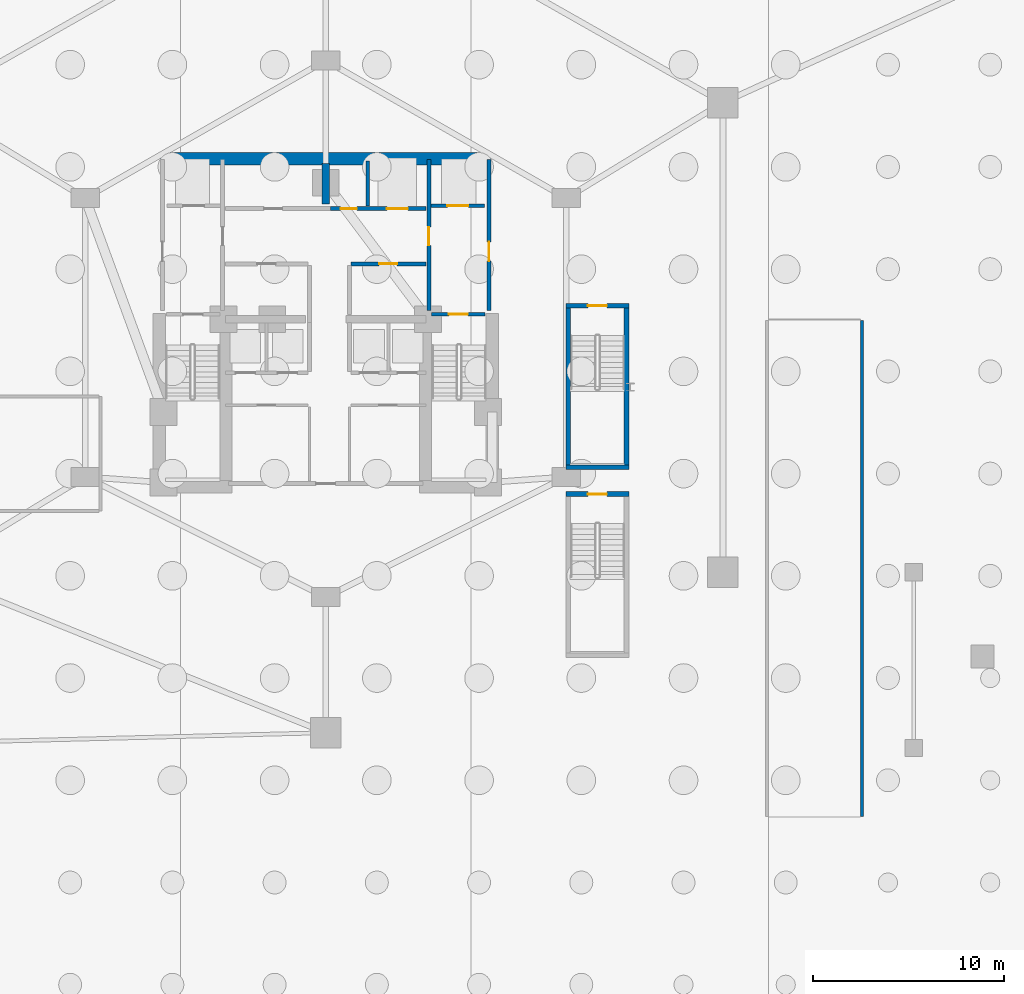
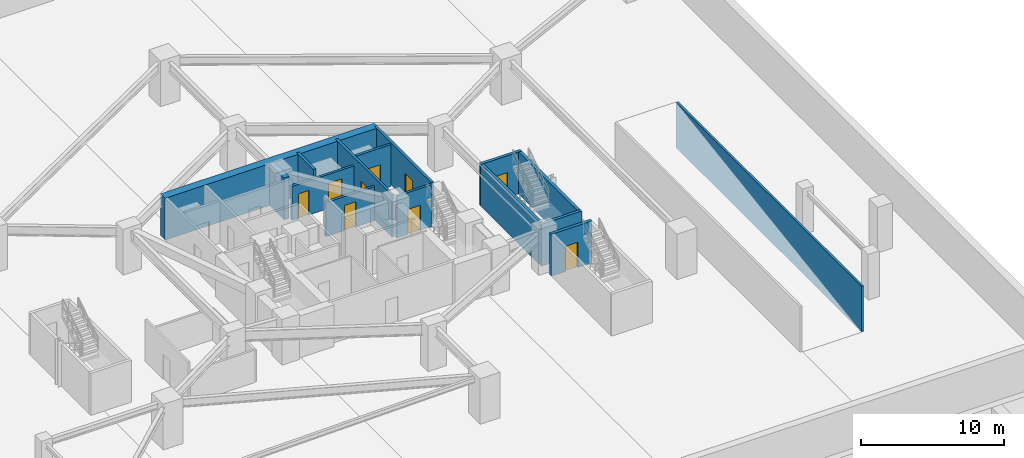
# One storey, part 8 of 14: 15 walls, 9 doors, 9 openings.
"""IFC4 building model written with IfcOpenShell, lengths in metres."""

from ifc_helpers import new_model, si_unit, direction, frame, frame_2d, origin, place, context, subcontext, project, spatial, rectangle, extrude, material, layer, layer_set, type_object, element, fill, save


model = new_model("IFC4")

# Units and contexts
model_context = context("Model", 3, precision=1e-05, world=origin(), true_north=direction((0.0, 1.0)))
body_context = subcontext(model_context, "Body", "Model", "MODEL_VIEW")
ifc_project = project(units=[si_unit("LENGTHUNIT", "METRE"), si_unit("AREAUNIT", "SQUARE_METRE"), si_unit("VOLUMEUNIT", "CUBIC_METRE"), si_unit("PLANEANGLEUNIT", "RADIAN"), si_unit("MASSUNIT", "GRAM", prefix="KILO")], contexts=[model_context])

# Site, building, storey
site_placement = place(None, origin())
site = spatial("IfcSite", under=ifc_project, at=site_placement, CompositionType="ELEMENT")
building_placement = place(site_placement, origin())
building = spatial("IfcBuilding", under=site, at=building_placement, Name="Miruveldt Soraemaru", CompositionType="ELEMENT")
storey_placement = place(building_placement, frame((0.0, 0.0, -15.60009765625)))
storey = spatial("IfcBuildingStorey", under=building, at=storey_placement, Name="B4", CompositionType="ELEMENT", Elevation=-15.60009765625)

# Walls
ifc_material_1 = material(Name="Concrete C70/85 (70 MPa)", Category="concrete")
ifc_layer_1 = layer(ifc_material_1, 0.5, Name="Concrete C70/85 (70 MPa)", Category="concrete")
ifc_layer_set_1 = layer_set([ifc_layer_1], Name="Concrete C70/85 (70 MPa)")
wall_type_1 = type_object("IfcWallType", Name="WALL-BW-500", PredefinedType="SHEAR", material=ifc_layer_set_1)
wall_1_placement = place(storey_placement, frame((44.0, 50.10009765625, 0.0), z_axis=(0.0, 0.0, 1.0), x_axis=(0.0, 1.0, 0.0)))
element("IfcWall", 1, at=wall_1_placement, inside=storey, type_object=wall_type_1, Name="B4 Core Buttress Shear Wall BN", PredefinedType="SHEAR", context=body_context, shape_type="SweptSolid", body=[
    extrude(rectangle(XDim=2.099853515625, YDim=0.39990234375, at=frame_2d((1.0498046875, 0.0))), origin(), (0.0, 0.0, 1.0), 3.580078125),
])
ifc_material_2 = material(Name="Concrete C50/60 (50 MPa)", Category="concrete")
ifc_layer_2 = layer(ifc_material_2, 0.419921875, Name="Concrete C50/60 (50 MPa)", Category="concrete")
ifc_layer_set_2 = layer_set([ifc_layer_2], Name="Concrete C50/60 (50 MPa)")
wall_type_2 = type_object("IfcWallType", Name="WALL-CW-420", PredefinedType="SHEAR", material=ifc_layer_set_2)
wall_2_placement = place(storey_placement, frame((72.080078125, 18.02001953125, 0.0), z_axis=(0.0, 0.0, 1.0), x_axis=(0.0, 1.0, 0.0)))
element("IfcWall", 2, at=wall_2_placement, inside=storey, type_object=wall_type_2, Name="B4 Car Park Ramp Shaft Structural Side Wall E", PredefinedType="SHEAR", context=body_context, shape_type="SweptSolid", body=[
    extrude(rectangle(XDim=25.9599609375, YDim=0.159912109375, at=frame_2d((12.97998046875, 0.0))), origin(), (0.0, 0.0, 1.0), 3.900146484375),
])

# Wall, opening, door
wall_3_placement = place(storey_placement, frame((56.580078125, 44.75, 0.0), z_axis=(0.0, 0.0, 1.0), x_axis=(1.0, 0.0, 0.0)))
wall_3 = element("IfcWall", 3, at=wall_3_placement, inside=storey, type_object=wall_type_2, Name="B4 Podium Garden Feature Stair ST-4 Structural Shaft Wall N", PredefinedType="SHEAR", context=body_context, shape_type="SweptSolid", body=[
    extrude(rectangle(XDim=3.2900390625, YDim=0.239990234375, at=frame_2d((1.64501953125, 0.0))), origin(), (0.0, 0.0, 1.0), 3.580078125),
])
opening_1_placement = place(wall_3_placement, frame((1.14501953125, 0.0, 0.0)))
opening_1 = element("IfcOpeningElement", 4, at=opening_1_placement, cuts=wall_3, Name="Opening FD1", PredefinedType="OPENING", context=body_context, shape_type="SweptSolid", body=[
    extrude(rectangle(XDim=1.0, YDim=2.14990234375, at=frame_2d((0.5, 1.074951171875))), frame((0.0, 0.1298828125, 0.0), z_axis=(0.0, -1.0, 0.0), x_axis=(1.0, 0.0, 0.0)), (0.0, 0.0, 1.0), 0.260009765625),
])
ifc_material_3 = material(Name="Anodised aluminium EN AW-6063 T6", Category="aluminium")
door_type_1 = type_object("IfcDoorType", Name="DOOR-FD1-1000", OperationType="NOTDEFINED", PredefinedType="DOOR", material=ifc_material_3)
door_1_placement = place(opening_1_placement, frame((1.0, 0.0, 0.0), z_axis=(0.0, 0.0, 1.0), x_axis=(-1.0, 0.0, 0.0)))
door_1 = element("IfcDoor", 5, at=door_1_placement, inside=storey, type_object=door_type_1, Name="B4 Podium Garden Feature Stair ST-4 Fire Door", OperationType="SINGLE_SWING_LEFT", OverallHeight=2.14990234375, OverallWidth=1.0, PredefinedType="DOOR", context=body_context, shape_type="SweptSolid", body=[
    extrude(rectangle(XDim=1.0, YDim=2.14990234375, at=frame_2d((0.5, 1.074951171875))), frame((0.0, 0.02490234375, 0.0), z_axis=(0.0, -1.0, 0.0), x_axis=(1.0, 0.0, 0.0)), (0.0, 0.0, 1.0), 0.050048828125),
])
fill(opening_1, door_1)

wall_4_placement = place(storey_placement, frame((56.580078125, 34.89990234375, 0.0), z_axis=(0.0, 0.0, 1.0), x_axis=(1.0, 0.0, 0.0)))
wall_4 = element("IfcWall", 6, at=wall_4_placement, inside=storey, type_object=wall_type_2, Name="B4 Basement Service Stair ST-5 Structural Shaft Wall N", PredefinedType="SHEAR", context=body_context, shape_type="SweptSolid", body=[
    extrude(rectangle(XDim=3.2900390625, YDim=0.239990234375, at=frame_2d((1.64501953125, 0.0))), origin(), (0.0, 0.0, 1.0), 3.580078125),
])
opening_2_placement = place(wall_4_placement, frame((1.14501953125, 0.0, 0.0)))
opening_2 = element("IfcOpeningElement", 7, at=opening_2_placement, cuts=wall_4, Name="Opening FD1", PredefinedType="OPENING", context=body_context, shape_type="SweptSolid", body=[
    extrude(rectangle(XDim=1.0, YDim=2.14990234375, at=frame_2d((0.5, 1.074951171875))), frame((0.0, 0.1298828125, 0.0), z_axis=(0.0, -1.0, 0.0), x_axis=(1.0, 0.0, 0.0)), (0.0, 0.0, 1.0), 0.260009765625),
])
door_2_placement = place(opening_2_placement, frame((1.0, 0.0, 0.0), z_axis=(0.0, 0.0, 1.0), x_axis=(-1.0, 0.0, 0.0)))
door_2 = element("IfcDoor", 8, at=door_2_placement, inside=storey, type_object=door_type_1, Name="B4 Basement Service Stair ST-5 Fire Door", OperationType="SINGLE_SWING_LEFT", OverallHeight=2.14990234375, OverallWidth=1.0, PredefinedType="DOOR", context=body_context, shape_type="SweptSolid", body=[
    extrude(rectangle(XDim=1.0, YDim=2.14990234375, at=frame_2d((0.5, 1.074951171875))), frame((0.0, 0.02490234375, 0.0), z_axis=(0.0, -1.0, 0.0), x_axis=(1.0, 0.0, 0.0)), (0.0, 0.0, 1.0), 0.050048828125),
])
fill(opening_2, door_2)

# Walls
for number, where, z_axis, x_axis, name in (
    (9, (56.699951171875, 36.35009765625, 0.0), (0.0, 0.0, 1.0), (0.0, 1.0, 0.0), "B4 Podium Garden Feature Stair ST-4 Structural Shaft Wall W"),
    (10, (59.75, 36.35009765625, 0.0), (0.0, 0.0, 1.0), (0.0, 1.0, 0.0), "B4 Podium Garden Feature Stair ST-4 Structural Shaft Wall E"),
):
    element("IfcWall", number, at=place(storey_placement, frame(where, z_axis=z_axis, x_axis=x_axis)), inside=storey, type_object=wall_type_2, Name=name, PredefinedType="SHEAR", context=body_context, shape_type="SweptSolid", body=[
        extrude(rectangle(XDim=8.349853515625, YDim=0.239990234375, at=frame_2d((4.1748046875, 0.0))), origin(), (0.0, 0.0, 1.0), 3.580078125),
    ])
wall_5_placement = place(storey_placement, frame((56.580078125, 36.300048828125, 0.0), z_axis=(0.0, 0.0, 1.0), x_axis=(1.0, 0.0, 0.0)))
element("IfcWall", 11, at=wall_5_placement, inside=storey, type_object=wall_type_2, Name="B4 Podium Garden Feature Stair ST-4 Structural Shaft Wall S", PredefinedType="SHEAR", context=body_context, shape_type="SweptSolid", body=[
    extrude(rectangle(XDim=3.2900390625, YDim=0.239990234375, at=frame_2d((1.64501953125, 0.0))), origin(), (0.0, 0.0, 1.0), 3.580078125),
])
ifc_material_4 = material(Name="Concrete C80/95 (80 MPa)", Category="concrete")
ifc_layer_3 = layer(ifc_material_4, 0.64990234375, Name="Concrete C80/95 (80 MPa)", Category="concrete")
ifc_layer_set_3 = layer_set([ifc_layer_3], Name="Concrete C80/95 (80 MPa)")
wall_type_3 = type_object("IfcWallType", Name="WALL-CW-650", PredefinedType="SHEAR", material=ifc_layer_set_3)
wall_6_placement = place(storey_placement, frame((35.35009765625, 52.449951171875, 0.0), z_axis=(0.0, 0.0, 1.0), x_axis=(1.0, 0.0, 0.0)))
element("IfcWall", 12, at=wall_6_placement, inside=storey, type_object=wall_type_3, Name="B4 Central Core Shear Wall N", PredefinedType="SHEAR", context=body_context, shape_type="SweptSolid", body=[
    extrude(rectangle(XDim=17.2998046875, YDim=0.64990234375, at=frame_2d((8.64990234375, 0.0))), origin(), (0.0, 0.0, 1.0), 3.580078125),
])

# Wall, opening, door
ifc_material_5 = material(Name="Concrete C40/50 (40 MPa)", Category="concrete")
ifc_layer_4 = layer(ifc_material_5, 0.199951171875, Name="Concrete C40/50 (40 MPa)", Category="concrete")
ifc_layer_set_4 = layer_set([ifc_layer_4], Name="Concrete C40/50 (40 MPa)")
wall_type_4 = type_object("IfcWallType", Name="WALL-INT-RC200", PredefinedType="SOLIDWALL", material=ifc_layer_set_4)
wall_7_placement = place(storey_placement, frame((52.550048828125, 44.5, 0.0), z_axis=(0.0, 0.0, 1.0), x_axis=(0.0, 1.0, 0.0)))
wall_7 = element("IfcWall", 13, at=wall_7_placement, inside=storey, type_object=wall_type_4, Name="B4 Core Compartment Wall FFE-OUT", PredefinedType="SOLIDWALL", context=body_context, shape_type="SweptSolid", body=[
    extrude(rectangle(XDim=7.919921875, YDim=0.199951171875, at=frame_2d((3.9599609375, 0.0))), origin(), (0.0, 0.0, 1.0), 3.580078125),
])
opening_3_placement = place(wall_7_placement, frame((2.60009765625, 0.0, 0.0)))
opening_3 = element("IfcOpeningElement", 14, at=opening_3_placement, cuts=wall_7, Name="Opening FD1", PredefinedType="OPENING", context=body_context, shape_type="SweptSolid", body=[
    extrude(rectangle(XDim=1.0, YDim=2.14990234375, at=frame_2d((0.5, 1.074951171875))), frame((0.0, 0.10986328125, 0.0), z_axis=(0.0, -1.0, 0.0), x_axis=(1.0, 0.0, 0.0)), (0.0, 0.0, 1.0), 0.219970703125),
])
door_3_placement = place(opening_3_placement, frame((1.0, 0.0, 0.0), z_axis=(0.0, 0.0, 1.0), x_axis=(-1.0, 0.0, 0.0)))
door_3 = element("IfcDoor", 15, at=door_3_placement, inside=storey, type_object=door_type_1, Name="B4 East Firefighting Lobby Exit Door", OperationType="SINGLE_SWING_RIGHT", OverallHeight=2.14990234375, OverallWidth=1.0, PredefinedType="DOOR", context=body_context, shape_type="SweptSolid", body=[
    extrude(rectangle(XDim=1.0, YDim=2.14990234375, at=frame_2d((0.5, 1.074951171875))), frame((0.0, 0.02490234375, 0.0), z_axis=(0.0, -1.0, 0.0), x_axis=(1.0, 0.0, 0.0)), (0.0, 0.0, 1.0), 0.050048828125),
])
fill(opening_3, door_3)

wall_8_placement = place(storey_placement, frame((49.39990234375, 44.5, 0.0), z_axis=(0.0, 0.0, 1.0), x_axis=(0.0, 1.0, 0.0)))
wall_8 = element("IfcWall", 16, at=wall_8_placement, inside=storey, type_object=wall_type_4, Name="B4 Core Compartment Wall FFE-IN", PredefinedType="SOLIDWALL", context=body_context, shape_type="SweptSolid", body=[
    extrude(rectangle(XDim=7.919921875, YDim=0.199951171875, at=frame_2d((3.9599609375, 0.0))), origin(), (0.0, 0.0, 1.0), 3.580078125),
])
opening_4_placement = place(wall_8_placement, frame((3.425048828125, 0.0, 0.0)))
opening_4 = element("IfcOpeningElement", 17, at=opening_4_placement, cuts=wall_8, Name="Opening FD2", PredefinedType="OPENING", context=body_context, shape_type="SweptSolid", body=[
    extrude(rectangle(XDim=0.949951171875, YDim=2.14990234375, at=frame_2d((0.47509765625, 1.074951171875))), frame((0.0, 0.10986328125, 0.0), z_axis=(0.0, -1.0, 0.0), x_axis=(1.0, 0.0, 0.0)), (0.0, 0.0, 1.0), 0.219970703125),
])
door_type_2 = type_object("IfcDoorType", Name="DOOR-FD2-950", OperationType="NOTDEFINED", PredefinedType="DOOR", material=ifc_material_3)
door_4_placement = place(opening_4_placement, origin())
door_4 = element("IfcDoor", 18, at=door_4_placement, inside=storey, type_object=door_type_2, Name="B4 Lift Lobby to East Fire Lobby Door", OperationType="SINGLE_SWING_LEFT", OverallHeight=2.14990234375, OverallWidth=0.949951171875, PredefinedType="DOOR", context=body_context, shape_type="SweptSolid", body=[
    extrude(rectangle(XDim=0.949951171875, YDim=2.14990234375, at=frame_2d((0.47509765625, 1.074951171875))), frame((0.0, 0.02490234375, 0.0), z_axis=(0.0, -1.0, 0.0), x_axis=(1.0, 0.0, 0.0)), (0.0, 0.0, 1.0), 0.050048828125),
])
fill(opening_4, door_4)

# Wall, openings, doors
wall_9_placement = place(storey_placement, frame((44.25, 49.85009765625, 0.0), z_axis=(0.0, 0.0, 1.0), x_axis=(1.0, 0.0, 0.0)))
wall_9 = element("IfcWall", 19, at=wall_9_placement, inside=storey, type_object=wall_type_4, Name="B4 Core Compartment Wall ROWA-SE", PredefinedType="SOLIDWALL", context=body_context, shape_type="SweptSolid", body=[
    extrude(rectangle(XDim=5.0, YDim=0.199951171875, at=frame_2d((2.5, 0.0))), origin(), (0.0, 0.0, 1.0), 2.918212890625),
])
opening_5_placement = place(wall_9_placement, frame((0.52490234375, 0.0, 0.0)))
opening_5 = element("IfcOpeningElement", 20, at=opening_5_placement, cuts=wall_9, Name="Opening FD3", PredefinedType="OPENING", context=body_context, shape_type="SweptSolid", body=[
    extrude(rectangle(XDim=0.85009765625, YDim=2.10009765625, at=frame_2d((0.425048828125, 1.050048828125))), frame((0.0, 0.10986328125, 0.0), z_axis=(0.0, -1.0, 0.0), x_axis=(1.0, 0.0, 0.0)), (0.0, 0.0, 1.0), 0.219970703125),
])
opening_6_placement = place(wall_9_placement, frame((2.949951171875, 0.0, 0.0)))
opening_6 = element("IfcOpeningElement", 21, at=opening_6_placement, cuts=wall_9, Name="Opening LD2", PredefinedType="OPENING", context=body_context, shape_type="SweptSolid", body=[
    extrude(rectangle(XDim=1.10009765625, YDim=2.14990234375, at=frame_2d((0.550048828125, 1.074951171875))), frame((0.0, 0.10986328125, 0.0), z_axis=(0.0, -1.0, 0.0), x_axis=(1.0, 0.0, 0.0)), (0.0, 0.0, 1.0), 0.219970703125),
])
door_type_3 = type_object("IfcDoorType", Name="DOOR-FD3-850", OperationType="NOTDEFINED", PredefinedType="DOOR", material=ifc_material_3)
door_5_placement = place(opening_5_placement, origin())
door_5 = element("IfcDoor", 22, at=door_5_placement, inside=storey, type_object=door_type_3, Name="B4 Fire Door", OperationType="SINGLE_SWING_LEFT", OverallHeight=2.10009765625, OverallWidth=0.85009765625, PredefinedType="DOOR", context=body_context, shape_type="SweptSolid", body=[
    extrude(rectangle(XDim=0.85009765625, YDim=2.10009765625, at=frame_2d((0.425048828125, 1.050048828125))), frame((0.0, 0.02490234375, 0.0), z_axis=(0.0, -1.0, 0.0), x_axis=(1.0, 0.0, 0.0)), (0.0, 0.0, 1.0), 0.050048828125),
])
fill(opening_5, door_5)
door_type_4 = type_object("IfcDoorType", Name="DOOR-LD2-1100", OperationType="SLIDING_TO_LEFT", PredefinedType="DOOR", material=ifc_material_3)
door_6_placement = place(opening_6_placement, origin())
door_6 = element("IfcDoor", 23, at=door_6_placement, inside=storey, type_object=door_type_4, Name="B4 SL-1 Landing Door", OperationType="SLIDING_TO_LEFT", OverallHeight=2.14990234375, OverallWidth=1.10009765625, PredefinedType="DOOR", context=body_context, shape_type="SweptSolid", body=[
    extrude(rectangle(XDim=1.10009765625, YDim=2.14990234375, at=frame_2d((0.550048828125, 1.074951171875))), frame((0.0, 0.02490234375, 0.0), z_axis=(0.0, -1.0, 0.0), x_axis=(1.0, 0.0, 0.0)), (0.0, 0.0, 1.0), 0.050048828125),
])
fill(opening_6, door_6)

# Wall, opening, door
wall_10_placement = place(storey_placement, frame((45.320068359375, 46.949951171875, 0.0), z_axis=(0.0, 0.0, 1.0), x_axis=(1.0, 0.0, 0.0)))
wall_10 = element("IfcWall", 24, at=wall_10_placement, inside=storey, type_object=wall_type_4, Name="B4 Core Compartment Wall MBE-N", PredefinedType="SOLIDWALL", context=body_context, shape_type="SweptSolid", body=[
    extrude(rectangle(XDim=3.929931640625, YDim=0.199951171875, at=frame_2d((1.96484375, 0.0))), origin(), (0.0, 0.0, 1.0), 2.918212890625),
])
opening_7_placement = place(wall_10_placement, frame((1.47509765625, 0.0, 0.0)))
opening_7 = element("IfcOpeningElement", 25, at=opening_7_placement, cuts=wall_10, Name="Opening FD2", PredefinedType="OPENING", context=body_context, shape_type="SweptSolid", body=[
    extrude(rectangle(XDim=0.949951171875, YDim=2.14990234375, at=frame_2d((0.47509765625, 1.074951171875))), frame((0.0, 0.10986328125, 0.0), z_axis=(0.0, -1.0, 0.0), x_axis=(1.0, 0.0, 0.0)), (0.0, 0.0, 1.0), 0.219970703125),
])
door_7_placement = place(opening_7_placement, origin())
door_7 = element("IfcDoor", 26, at=door_7_placement, inside=storey, type_object=door_type_2, Name="B4 Fire Door", OperationType="SINGLE_SWING_LEFT", OverallHeight=2.14990234375, OverallWidth=0.949951171875, PredefinedType="DOOR", context=body_context, shape_type="SweptSolid", body=[
    extrude(rectangle(XDim=0.949951171875, YDim=2.14990234375, at=frame_2d((0.47509765625, 1.074951171875))), frame((0.0, 0.02490234375, 0.0), z_axis=(0.0, -1.0, 0.0), x_axis=(1.0, 0.0, 0.0)), (0.0, 0.0, 1.0), 0.050048828125),
])
fill(opening_7, door_7)

wall_11_placement = place(storey_placement, frame((49.550048828125, 44.320068359375, 0.0), z_axis=(0.0, 0.0, 1.0), x_axis=(1.0, 0.0, 0.0)))
wall_11 = element("IfcWall", 27, at=wall_11_placement, inside=storey, type_object=wall_type_4, Name="B4 Core Compartment Wall ST2-N", PredefinedType="SOLIDWALL", context=body_context, shape_type="SweptSolid", body=[
    extrude(rectangle(XDim=2.800048828125, YDim=0.199951171875, at=frame_2d((1.39990234375, 0.0))), origin(), (0.0, 0.0, 1.0), 3.580078125),
])
opening_8_placement = place(wall_11_placement, frame((0.89990234375, 0.0, 0.0)))
opening_8 = element("IfcOpeningElement", 28, at=opening_8_placement, cuts=wall_11, Name="Opening FD1", PredefinedType="OPENING", context=body_context, shape_type="SweptSolid", body=[
    extrude(rectangle(XDim=1.0, YDim=2.14990234375, at=frame_2d((0.5, 1.074951171875))), frame((0.0, 0.10986328125, 0.0), z_axis=(0.0, -1.0, 0.0), x_axis=(1.0, 0.0, 0.0)), (0.0, 0.0, 1.0), 0.219970703125),
])
door_8_placement = place(opening_8_placement, frame((1.0, 0.0, 0.0), z_axis=(0.0, 0.0, 1.0), x_axis=(-1.0, 0.0, 0.0)))
door_8 = element("IfcDoor", 29, at=door_8_placement, inside=storey, type_object=door_type_1, Name="B4 Stair ST-2 Fire Door", OperationType="SINGLE_SWING_RIGHT", OverallHeight=2.14990234375, OverallWidth=1.0, PredefinedType="DOOR", context=body_context, shape_type="SweptSolid", body=[
    extrude(rectangle(XDim=1.0, YDim=2.14990234375, at=frame_2d((0.5, 1.074951171875))), frame((0.0, 0.02490234375, 0.0), z_axis=(0.0, -1.0, 0.0), x_axis=(1.0, 0.0, 0.0)), (0.0, 0.0, 1.0), 0.050048828125),
])
fill(opening_8, door_8)

wall_12_placement = place(storey_placement, frame((49.52001953125, 50.0, 0.0), z_axis=(0.0, 0.0, 1.0), x_axis=(1.0, 0.0, 0.0)))
wall_12 = element("IfcWall", 30, at=wall_12_placement, inside=storey, type_object=wall_type_4, Name="B4 Core Compartment Wall FFL2-S", PredefinedType="SOLIDWALL", context=body_context, shape_type="SweptSolid", body=[
    extrude(rectangle(XDim=2.800048828125, YDim=0.199951171875, at=frame_2d((1.39990234375, 0.0))), origin(), (0.0, 0.0, 1.0), 3.580078125),
])
opening_9_placement = place(wall_12_placement, frame((0.85009765625, 0.0, 0.0)))
opening_9 = element("IfcOpeningElement", 31, at=opening_9_placement, cuts=wall_12, Name="Opening LD2", PredefinedType="OPENING", context=body_context, shape_type="SweptSolid", body=[
    extrude(rectangle(XDim=1.10009765625, YDim=2.14990234375, at=frame_2d((0.550048828125, 1.074951171875))), frame((0.0, 0.10986328125, 0.0), z_axis=(0.0, -1.0, 0.0), x_axis=(1.0, 0.0, 0.0)), (0.0, 0.0, 1.0), 0.219970703125),
])
door_9_placement = place(opening_9_placement, origin())
door_9 = element("IfcDoor", 32, at=door_9_placement, inside=storey, type_object=door_type_4, Name="B4 FFL-2 Landing Door", OperationType="SLIDING_TO_LEFT", OverallHeight=2.14990234375, OverallWidth=1.10009765625, PredefinedType="DOOR", context=body_context, shape_type="SweptSolid", body=[
    extrude(rectangle(XDim=1.10009765625, YDim=2.14990234375, at=frame_2d((0.550048828125, 1.074951171875))), frame((0.0, 0.02490234375, 0.0), z_axis=(0.0, -1.0, 0.0), x_axis=(1.0, 0.0, 0.0)), (0.0, 0.0, 1.0), 0.050048828125),
])
fill(opening_9, door_9)

# Wall
wall_13_placement = place(storey_placement, frame((46.199951171875, 49.97998046875, 0.0), z_axis=(0.0, 0.0, 1.0), x_axis=(0.0, 1.0, 0.0)))
element("IfcWall", 33, at=wall_13_placement, inside=storey, type_object=wall_type_4, Name="B4 Core Compartment Wall BBM-DIV", PredefinedType="SOLIDWALL", context=body_context, shape_type="SweptSolid", body=[
    extrude(rectangle(XDim=2.3701171875, YDim=0.199951171875, at=frame_2d((1.18505859375, 0.0))), origin(), (0.0, 0.0, 1.0), 3.580078125),
])

save(model, "model.ifc")
